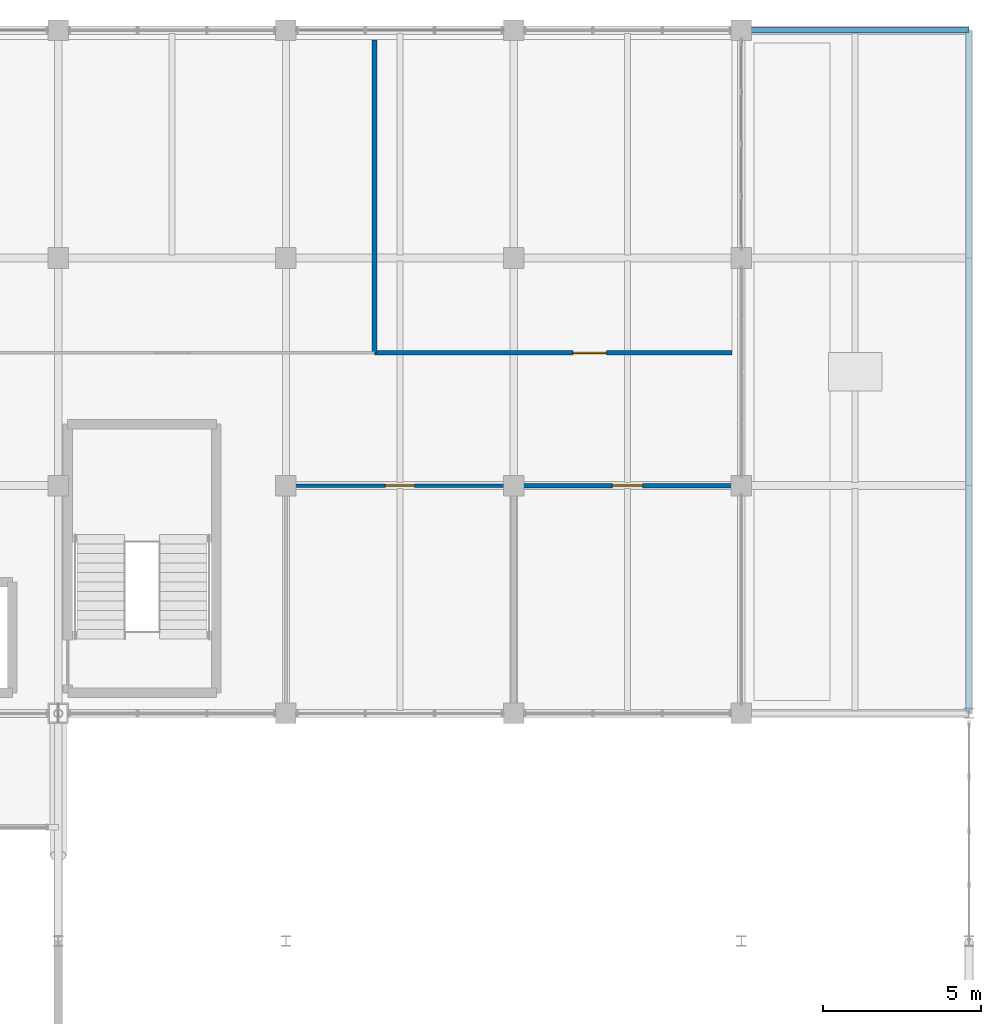
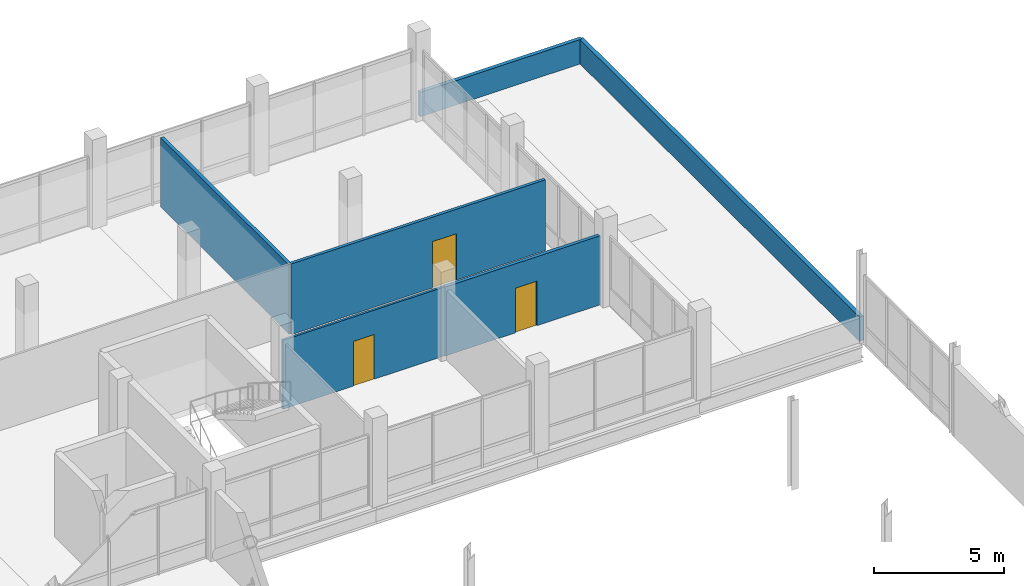
# One storey, part 96 of 102: 6 walls, 3 doors, 3 openings.
"""IFC4 building model written with IfcOpenShell, lengths in metres."""

import ifcopenshell
import ifcopenshell.guid

model = None  # the IFC model being written
_history = None  # IfcOwnerHistory: only IFC2X3 demands one
_inside = {}  # id of a spatial element -> (the spatial element, [elements in it])
_under = {}  # id of a project, library or spatial element -> (it, [spatial elements below it])
_declared = {}  # id of a project -> (the project, [libraries it declares])
_typed = {}  # id of a type object -> (the type object, [elements of that type])
_made_of = {}  # id of a material, layer set ... -> (it, [elements and type objects made of it])


def new_model(schema):
    """Start an empty IFC model of exactly this schema.

    Asked for "IFC4X3", IfcOpenShell would pick the latest addendum, in which some entities
    have other attributes; the version numbers below select the first issue.
    IFC2X3 requires an IfcOwnerHistory on every rooted entity: one is made here for all.
    """
    global model, _history
    if schema == "IFC4X3":
        model = ifcopenshell.file(schema_version=(4, 3, 0, 0))
    else:
        model = ifcopenshell.file(schema=schema)
    _inside.clear()
    _under.clear()
    _declared.clear()
    _typed.clear()
    _made_of.clear()
    _history = None
    if model.schema == "IFC2X3":
        org = make("IfcOrganization", Name="unknown")
        user = make(
            "IfcPersonAndOrganization",
            ThePerson=make("IfcPerson", FamilyName="unknown"),
            TheOrganization=org,
        )
        app = make(
            "IfcApplication",
            ApplicationDeveloper=org,
            Version="unknown",
            ApplicationFullName="unknown",
            ApplicationIdentifier="unknown",
        )
        _history = make(
            "IfcOwnerHistory",
            OwningUser=user,
            OwningApplication=app,
            ChangeAction="ADDED",
            CreationDate=0,
        )
    return model


def make(cls, **values):
    """One entity of the class cls with the attributes given. An attribute that is None is left unset."""
    return model.create_entity(
        cls, **{name: value for name, value in values.items() if value is not None}
    )


def rooted(cls, **values):
    """An entity with a GlobalId (a new one), such as an element, a storey or a relation."""
    return make(cls, GlobalId=ifcopenshell.guid.new(), OwnerHistory=_history, **values)


def si_unit(unit_type, name, prefix=None):
    """IfcSIUnit, for example si_unit("LENGTHUNIT", "METRE", prefix="MILLI")."""
    return make("IfcSIUnit", UnitType=unit_type, Prefix=prefix, Name=name)


def assignment(units):
    """IfcUnitAssignment: the units of a project."""
    return None if units is None else make("IfcUnitAssignment", Units=units)


def point(xyz):
    """IfcCartesianPoint."""
    return None if xyz is None else make("IfcCartesianPoint", Coordinates=xyz)


def direction(xyz):
    """IfcDirection."""
    return None if xyz is None else make("IfcDirection", DirectionRatios=xyz)


def frame(location, z_axis=None, x_axis=None):
    """IfcAxis2Placement3D, a coordinate frame: its origin and axes. An axis left out is left unset."""
    return make(
        "IfcAxis2Placement3D",
        Location=point(location),
        Axis=direction(z_axis),
        RefDirection=direction(x_axis),
    )


def frame_2d(location, x_axis=None):
    """IfcAxis2Placement2D, a coordinate frame in the plane: its origin and x axis."""
    return make(
        "IfcAxis2Placement2D", Location=point(location), RefDirection=direction(x_axis)
    )


def origin():
    """The frame at (0, 0, 0) with its axes left unset."""
    return frame((0.0, 0.0, 0.0))


def place(relative_to, where):
    """IfcLocalPlacement: puts the frame where relative to a parent placement (None: the world)."""
    return make(
        "IfcLocalPlacement", PlacementRelTo=relative_to, RelativePlacement=where
    )


def context(
    kind, dimensions, precision=None, world=None, true_north=None, identifier=None
):
    """IfcGeometricRepresentationContext, for example the 3D "Model" context."""
    return make(
        "IfcGeometricRepresentationContext",
        ContextIdentifier=identifier,
        ContextType=kind,
        CoordinateSpaceDimension=dimensions,
        Precision=precision,
        WorldCoordinateSystem=world,
        TrueNorth=true_north,
    )


def subcontext(parent, identifier, kind, view, scale=None):
    """IfcGeometricRepresentationSubContext, for example "Body" below "Model"."""
    return make(
        "IfcGeometricRepresentationSubContext",
        ContextIdentifier=identifier,
        ContextType=kind,
        ParentContext=parent,
        TargetScale=scale,
        TargetView=view,
    )


def project(units=None, contexts=None):
    """IfcProject with its units and contexts."""
    return rooted(
        "IfcProject",
        Name="project",
        RepresentationContexts=contexts,
        UnitsInContext=assignment(units),
    )


def spatial(cls, under=None, at=None, **own):
    """A site, building, storey or space (cls), placed at a placement, below another one or the project."""
    s = rooted(cls, ObjectPlacement=at, **own)
    if under is not None:
        _under.setdefault(under.id(), (under, []))[1].append(s)
    return s


def profile(cls, at=None, kind="AREA", **sizes):
    """A parametric profile (cls). Its sizes go by their IFC names, for example OverallWidth=200.0."""
    return make(cls, ProfileType=kind, Position=at, **sizes)


def rectangle(**sizes):
    """IfcRectangleProfileDef."""
    return profile("IfcRectangleProfileDef", **sizes)


def extrude(swept, where, along, depth):
    """IfcExtrudedAreaSolid: the profile swept, set in the frame where, extruded along a direction by depth."""
    return make(
        "IfcExtrudedAreaSolid",
        SweptArea=swept,
        Position=where,
        ExtrudedDirection=direction(along),
        Depth=depth,
    )


def shape(context_of_items, identifier, shape_type, items):
    """IfcShapeRepresentation: the items that make up one representation, for example the "Body"."""
    return make(
        "IfcShapeRepresentation",
        ContextOfItems=context_of_items,
        RepresentationIdentifier=identifier,
        RepresentationType=shape_type,
        Items=items,
    )


def material(Name=None, Category=None):
    """IfcMaterial."""
    return make("IfcMaterial", Name=Name, Category=Category)


def layer(
    of_material, thickness, ventilated=None, Name=None, Category=None, Priority=None
):
    """IfcMaterialLayer: one layer of a wall or slab, of a material (None: an air gap)."""
    return make(
        "IfcMaterialLayer",
        Material=of_material,
        LayerThickness=thickness,
        IsVentilated=ventilated,
        Name=Name,
        Category=Category,
        Priority=Priority,
    )


def layer_set(layers, Name=None):
    """IfcMaterialLayerSet."""
    return make("IfcMaterialLayerSet", MaterialLayers=layers, LayerSetName=Name)


def made_of(thing, what):
    """Note that an element or type object is made of a material, layer set ...; save() writes the relation."""
    if what is not None:
        _made_of.setdefault(what.id(), (what, []))[1].append(thing)
    return thing


def type_object(cls, material=None, **own):
    """A type object (cls), such as IfcWallType, which elements share."""
    return made_of(rooted(cls, **own), material)


def element(
    cls,
    number,
    at=None,
    inside=None,
    cuts=None,
    type_object=None,
    material=None,
    context=None,
    identifier="Body",
    shape_type=None,
    held_by="IfcProductDefinitionShape",
    body=None,
    shapes=None,
    **own,
):
    """One element of the class cls, such as IfcWall. Its Tag is "e" and its number.

    at: its placement. inside: the storey or other place that contains it. cuts: it is an
    opening in that element (IfcRelVoidsElement). A single representation is given by context,
    identifier, shape_type and body (its items); several are given by shapes. held_by: the class
    of the entity that holds the representations. save() writes the other relations.
    """
    e = rooted(cls, Tag="e%d" % number, ObjectPlacement=at, **own)
    if body is not None:
        shapes = [shape(context, identifier, shape_type, body)]
    if shapes is not None:
        e.Representation = make(held_by, Representations=shapes)
    if inside is not None:
        _inside.setdefault(inside.id(), (inside, []))[1].append(e)
    if cuts is not None:
        rooted(
            "IfcRelVoidsElement", RelatingBuildingElement=cuts, RelatedOpeningElement=e
        )
    if type_object is not None:
        _typed.setdefault(type_object.id(), (type_object, []))[1].append(e)
    return made_of(e, material)


def fill(opening, filler):
    """IfcRelFillsElement: the door or window that sits in an opening."""
    return rooted(
        "IfcRelFillsElement",
        RelatingOpeningElement=opening,
        RelatedBuildingElement=filler,
    )


def aggregate(whole, parts):
    """IfcRelAggregates: a whole, such as a stair, and the parts it consists of."""
    return rooted("IfcRelAggregates", RelatingObject=whole, RelatedObjects=parts)


def save(model, path):
    """Write the relations noted so far, then the file.

    IfcRelAggregates (storeys below a building ...), IfcRelContainedInSpatialStructure (elements
    in a storey), IfcRelDefinesByType, IfcRelAssociatesMaterial and IfcRelDeclares: one each for
    every whole, place, type object, material and project.
    """
    for whole, parts in _under.values():
        aggregate(whole, parts)
    for where, things in _inside.values():
        rooted(
            "IfcRelContainedInSpatialStructure",
            RelatedElements=things,
            RelatingStructure=where,
        )
    for kind, things in _typed.values():
        rooted("IfcRelDefinesByType", RelatedObjects=things, RelatingType=kind)
    for what, things in _made_of.values():
        rooted("IfcRelAssociatesMaterial", RelatedObjects=things, RelatingMaterial=what)
    for by, libraries in _declared.values():
        rooted("IfcRelDeclares", RelatingContext=by, RelatedDefinitions=libraries)
    model.write(path)


model = new_model("IFC4")

# Units and contexts
model_context = context("Model", 3, precision=1e-05, world=origin(), true_north=direction((0.0, 1.0)))
body_context = subcontext(model_context, "Body", "Model", "MODEL_VIEW")
ifc_project = project(units=[si_unit("LENGTHUNIT", "METRE"), si_unit("AREAUNIT", "SQUARE_METRE"), si_unit("VOLUMEUNIT", "CUBIC_METRE"), si_unit("PLANEANGLEUNIT", "RADIAN"), si_unit("MASSUNIT", "GRAM", prefix="KILO")], contexts=[model_context])

# Site, building, storey
site_placement = place(None, origin())
site = spatial("IfcSite", under=ifc_project, at=site_placement, CompositionType="ELEMENT")
building_placement = place(site_placement, origin())
building = spatial("IfcBuilding", under=site, at=building_placement, Name="Yarey Park Central Fire Station", CompositionType="ELEMENT")
storey_placement = place(building_placement, frame((0.0, 0.0, 6.0)))
storey = spatial("IfcBuildingStorey", under=building, at=storey_placement, Name="L02", CompositionType="ELEMENT", Elevation=6.0)

# Walls
ifc_material_1 = material(Name="Concrete C35/45", Category="concrete")
ifc_layer_1 = layer(ifc_material_1, 0.1650390625)
ifc_layer_set_1 = layer_set([ifc_layer_1], Name="Concrete C35/45")
wall_type_1 = type_object("IfcWallType", Name="ENV_WALL_PAR165", PredefinedType="PARAPET", material=ifc_layer_set_1)
wall_1_placement = place(storey_placement, frame((165.60009765625, 115.199951171875, 0.0), z_axis=(0.0, 0.0, 1.0), x_axis=(-1.0, 0.0, 0.0)))
element("IfcWall", 1, at=wall_1_placement, inside=storey, type_object=wall_type_1, Name="PAR_L02_08", PredefinedType="PARAPET", context=body_context, shape_type="SweptSolid", body=[
    extrude(rectangle(XDim=7.2001953125, YDim=0.1650390625, at=frame_2d((3.60009765625, 0.0))), origin(), (0.0, 0.0, 1.0), 1.14990234375),
])
ifc_layer_2 = layer(ifc_material_1, 0.18505859375)
ifc_layer_set_2 = layer_set([ifc_layer_2], Name="Concrete C35/45")
wall_type_2 = type_object("IfcWallType", Name="ENV_WALL_PAR185", PredefinedType="PARAPET", material=ifc_layer_set_2)
wall_2_placement = place(storey_placement, frame((165.60009765625, 93.60009765625, 0.0), z_axis=(0.0, 0.0, 1.0), x_axis=(0.0, 1.0, 0.0)))
element("IfcWall", 2, at=wall_2_placement, inside=storey, type_object=wall_type_2, Name="PAR_L02_07", PredefinedType="PARAPET", context=body_context, shape_type="SweptSolid", body=[
    extrude(rectangle(XDim=21.599853515625, YDim=0.18505859375, at=frame_2d((10.7998046875, 0.0))), origin(), (0.0, 0.0, 1.0), 1.14990234375),
])
ifc_material_2 = material(Name="Gypsum Shaftliner Assembly", Category="gypsum")
ifc_layer_3 = layer(ifc_material_2, 0.14990234375)
ifc_layer_set_3 = layer_set([ifc_layer_3], Name="Gypsum Shaftliner Assembly")
wall_type_3 = type_object("IfcWallType", Name="INT_WALL_AC150", PredefinedType="STANDARD", material=ifc_layer_set_3)
wall_3_placement = place(storey_placement, frame((146.800048828125, 105.0, 0.0), z_axis=(0.0, 0.0, 1.0), x_axis=(0.0, 1.0, 0.0)))
element("IfcWall", 3, at=wall_3_placement, inside=storey, type_object=wall_type_3, Name="PART_SPC_L02_OPS2_EAST", PredefinedType="STANDARD", context=body_context, shape_type="SweptSolid", body=[
    extrude(rectangle(XDim=9.89990234375, YDim=0.14990234375, at=frame_2d((4.949951171875, 0.0))), origin(), (0.0, 0.0, 1.0), 3.2470703125),
])

# Wall, opening, door
wall_4_placement = place(storey_placement, frame((158.10009765625, 100.800048828125, 0.0), z_axis=(0.0, 0.0, 1.0), x_axis=(-1.0, 0.0, 0.0)))
wall_4 = element("IfcWall", 4, at=wall_4_placement, inside=storey, type_object=wall_type_3, Name="PART_SPC_L02_V4_WCA_NORTH", PredefinedType="STANDARD", context=body_context, shape_type="SweptSolid", body=[
    extrude(rectangle(XDim=6.900146484375, YDim=0.14990234375, at=frame_2d((3.4501953125, 0.0))), origin(), (0.0, 0.0, 1.0), 3.2470703125),
])
opening_1_placement = place(wall_4_placement, frame((2.820068359375, 0.0, 0.0)))
opening_1 = element("IfcOpeningElement", 5, at=opening_1_placement, cuts=wall_4, Name="Opening WD-096", PredefinedType="OPENING", context=body_context, shape_type="SweptSolid", body=[
    extrude(rectangle(XDim=0.9599609375, YDim=2.10009765625, at=frame_2d((0.47998046875, 1.050048828125))), frame((0.0, 0.0849609375, 0.0), z_axis=(0.0, -1.0, 0.0), x_axis=(1.0, 0.0, 0.0)), (0.0, 0.0, 1.0), 0.169921875),
])
ifc_material_3 = material(Name="Phenolic Moisture-Resistant Leaf", Category="wood")
door_type_1 = type_object("IfcDoorType", Name="DR_WC_960", OperationType="NOTDEFINED", PredefinedType="DOOR", material=ifc_material_3)
door_1_placement = place(opening_1_placement, origin())
door_1 = element("IfcDoor", 6, at=door_1_placement, inside=storey, type_object=door_type_1, Name="DOOR_SPC_L02_V4_WCA", OperationType="SINGLE_SWING_LEFT", OverallHeight=2.10009765625, OverallWidth=0.9599609375, PredefinedType="DOOR", context=body_context, shape_type="SweptSolid", body=[
    extrude(rectangle(XDim=0.9599609375, YDim=2.10009765625, at=frame_2d((0.47998046875, 1.050048828125))), frame((0.0, 0.02490234375, 0.0), z_axis=(0.0, -1.0, 0.0), x_axis=(1.0, 0.0, 0.0)), (0.0, 0.0, 1.0), 0.050048828125),
])
fill(opening_1, door_1)

ifc_material_4 = material(Name="Gypsum Acoustic Partition", Category="gypsum")
ifc_layer_4 = layer(ifc_material_4, 0.10205078125)
ifc_layer_set_4 = layer_set([ifc_layer_4], Name="Gypsum Acoustic Partition")
wall_type_4 = type_object("IfcWallType", Name="INT_WALL_PT102", PredefinedType="STANDARD", material=ifc_layer_set_4)
wall_5_placement = place(storey_placement, frame((151.199951171875, 100.800048828125, 0.0), z_axis=(0.0, 0.0, 1.0), x_axis=(-1.0, 0.0, 0.0)))
wall_5 = element("IfcWall", 7, at=wall_5_placement, inside=storey, type_object=wall_type_4, Name="PART_SPC_L02_V4_WCM_NORTH", PredefinedType="STANDARD", context=body_context, shape_type="SweptSolid", body=[
    extrude(rectangle(XDim=7.199951171875, YDim=0.10205078125, at=frame_2d((3.60009765625, 0.0))), origin(), (0.0, 0.0, 1.0), 3.2470703125),
])
opening_2_placement = place(wall_5_placement, frame((3.139892578125, 0.0, 0.0)))
opening_2 = element("IfcOpeningElement", 8, at=opening_2_placement, cuts=wall_5, Name="Opening WD-092", PredefinedType="OPENING", context=body_context, shape_type="SweptSolid", body=[
    extrude(rectangle(XDim=0.919921875, YDim=2.10009765625, at=frame_2d((0.4599609375, 1.050048828125))), frame((0.0, 0.06103515625, 0.0), z_axis=(0.0, -1.0, 0.0), x_axis=(1.0, 0.0, 0.0)), (0.0, 0.0, 1.0), 0.1220703125),
])
door_type_2 = type_object("IfcDoorType", Name="DR_WC_920", OperationType="NOTDEFINED", PredefinedType="DOOR", material=ifc_material_3)
door_2_placement = place(opening_2_placement, origin())
door_2 = element("IfcDoor", 9, at=door_2_placement, inside=storey, type_object=door_type_2, Name="DOOR_SPC_L02_V4_WCM", OperationType="SINGLE_SWING_RIGHT", OverallHeight=2.10009765625, OverallWidth=0.919921875, PredefinedType="DOOR", context=body_context, shape_type="SweptSolid", body=[
    extrude(rectangle(XDim=0.919921875, YDim=2.10009765625, at=frame_2d((0.4599609375, 1.050048828125))), frame((0.0, 0.02490234375, 0.0), z_axis=(0.0, -1.0, 0.0), x_axis=(1.0, 0.0, 0.0)), (0.0, 0.0, 1.0), 0.050048828125),
])
fill(opening_2, door_2)

ifc_layer_5 = layer(ifc_material_4, 0.134033203125)
ifc_layer_set_5 = layer_set([ifc_layer_5], Name="Gypsum Acoustic Partition")
wall_type_5 = type_object("IfcWallType", Name="INT_WALL_PT134", PredefinedType="STANDARD", material=ifc_layer_set_5)
wall_6_placement = place(storey_placement, frame((146.800048828125, 105.0, 0.0), z_axis=(0.0, 0.0, 1.0), x_axis=(1.0, 0.0, 0.0)))
wall_6 = element("IfcWall", 10, at=wall_6_placement, inside=storey, type_object=wall_type_5, Name="PART_SPC_L02_OPS3_SOUTH", PredefinedType="STANDARD", context=body_context, shape_type="SweptSolid", body=[
    extrude(rectangle(XDim=11.300048828125, YDim=0.134033203125, at=frame_2d((5.64990234375, 0.0))), origin(), (0.0, 0.0, 1.0), 3.327880859375),
])
opening_3_placement = place(wall_6_placement, frame((6.27001953125, 0.0, 0.0)))
opening_3 = element("IfcOpeningElement", 11, at=opening_3_placement, cuts=wall_6, Name="Opening ID-106", PredefinedType="OPENING", context=body_context, shape_type="SweptSolid", body=[
    extrude(rectangle(XDim=1.06005859375, YDim=2.179931640625, at=frame_2d((0.530029296875, 1.08984375))), frame((0.0, 0.076904296875, 0.0), z_axis=(0.0, -1.0, 0.0), x_axis=(1.0, 0.0, 0.0)), (0.0, 0.0, 1.0), 0.154052734375),
])
ifc_material_5 = material(Name="Hardwood Acoustic Leaf", Category="wood")
door_type_3 = type_object("IfcDoorType", Name="DR_INT_1060", OperationType="NOTDEFINED", PredefinedType="DOOR", material=ifc_material_5)
door_3_placement = place(opening_3_placement, origin())
door_3 = element("IfcDoor", 12, at=door_3_placement, inside=storey, type_object=door_type_3, Name="DOOR_SPC_L02_OPS3", OperationType="SINGLE_SWING_LEFT", OverallHeight=2.179931640625, OverallWidth=1.06005859375, PredefinedType="DOOR", context=body_context, shape_type="SweptSolid", body=[
    extrude(rectangle(XDim=1.06005859375, YDim=2.179931640625, at=frame_2d((0.530029296875, 1.08984375))), frame((0.0, 0.02490234375, 0.0), z_axis=(0.0, -1.0, 0.0), x_axis=(1.0, 0.0, 0.0)), (0.0, 0.0, 1.0), 0.050048828125),
])
fill(opening_3, door_3)

save(model, "model.ifc")
